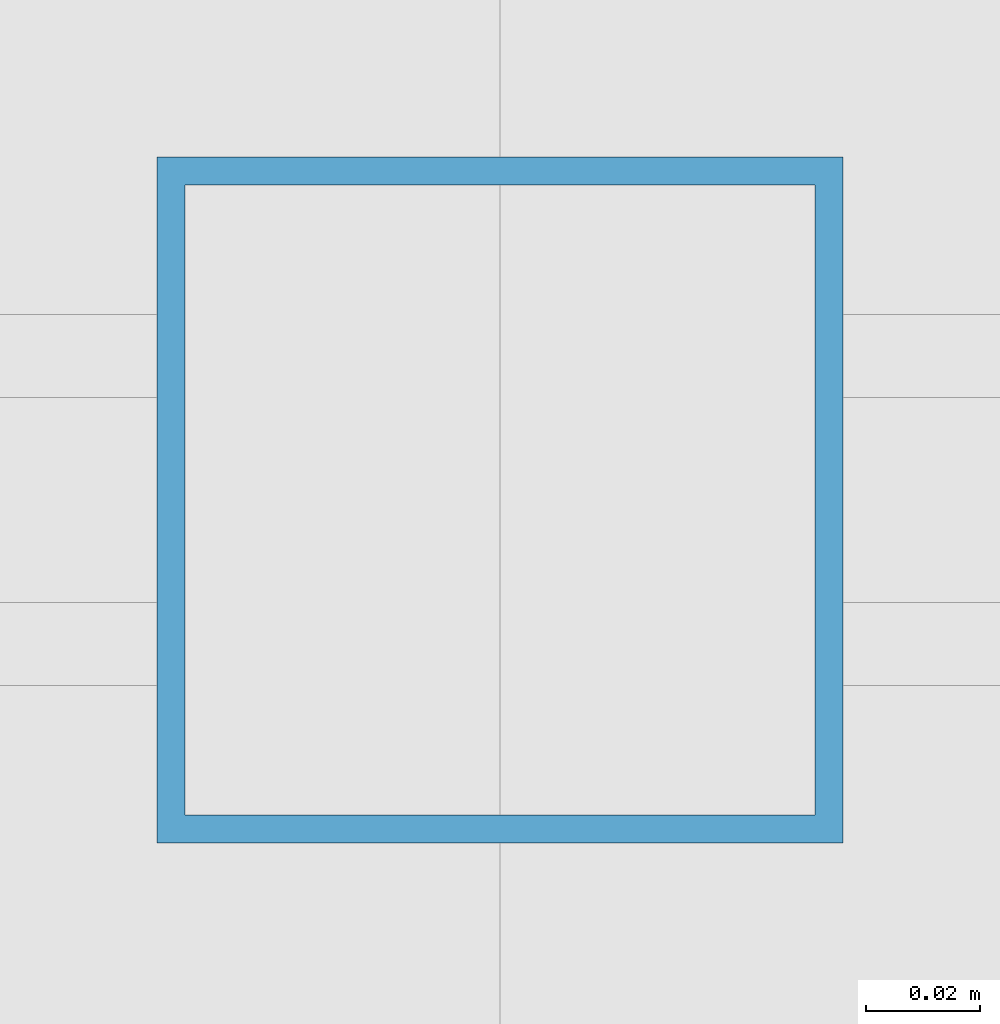
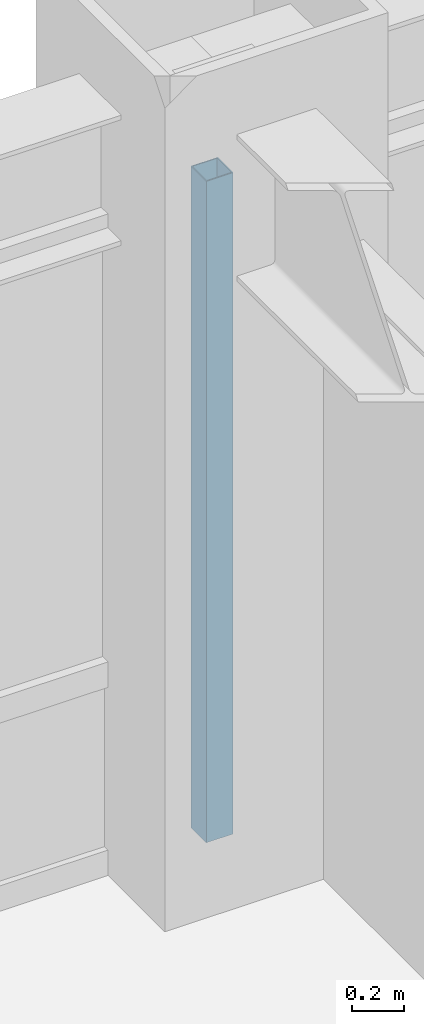
# One storey, part 16 of 24: 1 member, 1 element without a shape of its own.
"""IFC4 building model written with IfcOpenShell, lengths in metres."""

from ifc_helpers import new_model, si_unit, direction, frame, origin, origin_2d, place, context, subcontext, project, spatial, hollow_rectangle, extrude, source, transform, mapped, material, material_profile, profile_set, type_object, element, aggregate, save


model = new_model("IFC4")

# Units and contexts
model_context = context("Model", 3, precision=1e-05, world=origin(), true_north=direction((0.0, 1.0)))
body_context = subcontext(model_context, "Body", "Model", "MODEL_VIEW")
ifc_project = project(units=[si_unit("LENGTHUNIT", "METRE"), si_unit("AREAUNIT", "SQUARE_METRE"), si_unit("VOLUMEUNIT", "CUBIC_METRE"), si_unit("PLANEANGLEUNIT", "RADIAN"), si_unit("MASSUNIT", "GRAM", prefix="KILO")], contexts=[model_context])

# Site, building, storey
site_placement = place(None, origin())
site = spatial("IfcSite", under=ifc_project, at=site_placement, CompositionType="ELEMENT")
building_placement = place(site_placement, origin())
building = spatial("IfcBuilding", under=site, at=building_placement, Name="Khorayat Bourse Tower", CompositionType="ELEMENT")
storey_placement = place(building_placement, frame((0.0, 0.0, 259.10009765625)))
storey = spatial("IfcBuildingStorey", under=building, at=storey_placement, Name="L61", CompositionType="ELEMENT", Elevation=259.10009765625)

# Curtain wall, member
ifc_material = material(Name="Aluminium EN AW-6063 T6", Category="aluminium")
curtain_wall_type = type_object("IfcCurtainWallType", Name="CW-SYS-03", PredefinedType="NOTDEFINED", material=ifc_material)
curtain_wall_placement = place(storey_placement, origin())
curtain_wall = element("IfcCurtainWall", 1, at=curtain_wall_placement, inside=storey, type_object=curtain_wall_type, Name="L61 Curtain Wall CW-L61-N1", PredefinedType="NOTDEFINED")
ifc_material_profile = material_profile(ifc_material, hollow_rectangle(XDim=0.1201171875, YDim=0.1201171875, WallThickness=0.0048828125, at=origin_2d()), Name="ALU 120x120x5")
ifc_profile_set = profile_set([ifc_material_profile], Name="Aluminium EN AW-6063 T6")
member_type = type_object("IfcMemberType", Name="CWM-VERT-120", PredefinedType="MULLION", material=ifc_profile_set)
shared_shape = source(origin(), body_context, "Body", "SweptSolid", [
    extrude(hollow_rectangle(XDim=0.1201171875, YDim=0.1201171875, WallThickness=0.0048828125, at=origin_2d()), origin(), (0.0, 0.0, 1.0), 3.1298828125),
])
member_placement = place(storey_placement, frame((0.0, 30.0, 0.0), z_axis=(0.0, 0.0, 1.0), x_axis=(0.0, 1.0, 0.0)))
member = element("IfcMember", 2, at=member_placement, type_object=member_type, Name="CW-L61-N1 Vertical Mullion 2", PredefinedType="MULLION", context=body_context, shape_type="MappedRepresentation", body=[
    mapped(shared_shape, transform((0.0, 0.0, 0.0), scale=1.0)),
])
aggregate(curtain_wall, [member])

save(model, "model.ifc")
